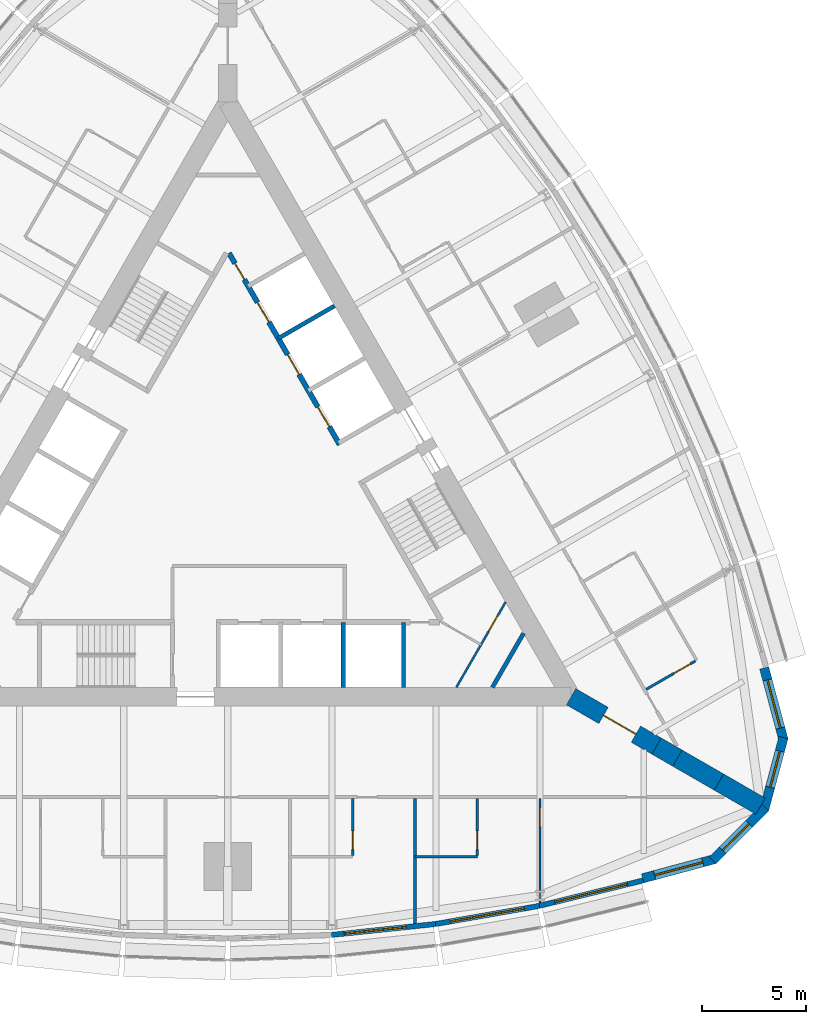
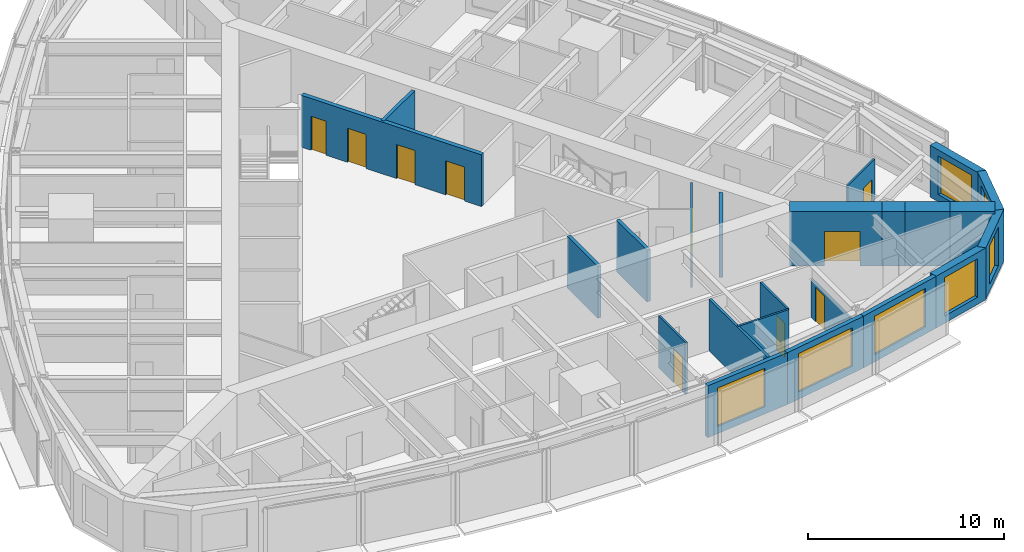
# One storey, part 10 of 14: 23 walls, 10 doors, 7 windows, 17 openings.
"""IFC4 building model written with IfcOpenShell, lengths in metres."""

from ifc_helpers import new_model, si_unit, direction, frame, frame_2d, origin, place, context, subcontext, project, spatial, polyline, rectangle, outline, extrude, material, layer, layer_set, type_object, element, fill, save


model = new_model("IFC4")

# Units and contexts
model_context = context("Model", 3, precision=1e-05, world=origin(), true_north=direction((0.0, 1.0)))
body_context = subcontext(model_context, "Body", "Model", "MODEL_VIEW")
ifc_project = project(units=[si_unit("LENGTHUNIT", "METRE"), si_unit("AREAUNIT", "SQUARE_METRE"), si_unit("VOLUMEUNIT", "CUBIC_METRE"), si_unit("PLANEANGLEUNIT", "RADIAN"), si_unit("MASSUNIT", "GRAM", prefix="KILO")], contexts=[model_context])

# Site, building, storey
site_placement = place(None, origin())
site = spatial("IfcSite", under=ifc_project, at=site_placement, CompositionType="ELEMENT")
building_placement = place(site_placement, origin())
building = spatial("IfcBuilding", under=site, at=building_placement, Name="Trikona Tower", CompositionType="ELEMENT")
storey_placement = place(building_placement, frame((0.0, 0.0, 165.699951171875)))
storey = spatial("IfcBuildingStorey", under=building, at=storey_placement, Name="L44", CompositionType="ELEMENT", Elevation=165.699951171875)

# Wall, opening, door
ifc_material_1 = material(Name="Metal stud and cement board", Category="gypsum")
ifc_layer_1 = layer(ifc_material_1, 0.1201171875)
ifc_layer_set_1 = layer_set([ifc_layer_1], Name="Bathroom wall 120")
wall_type_1 = type_object("IfcWallType", Name="Bathroom wall 120", PredefinedType="PLUMBINGWALL", material=ifc_layer_set_1)
wall_1_placement = place(storey_placement, frame((6.0, -14.42626953125, 0.0), z_axis=(0.0, 0.0, 1.0), x_axis=(0.0, -1.0, 0.0)))
wall_1 = element("IfcWall", 1, at=wall_1_placement, inside=storey, type_object=wall_type_1, Name="Bathroom wall 4403", PredefinedType="PLUMBINGWALL", context=body_context, shape_type="SweptSolid", body=[
    extrude(rectangle(XDim=2.739990234375, YDim=0.1201171875, at=frame_2d((1.3701171875, 0.0))), origin(), (0.0, 0.0, 1.0), 3.235107421875),
])
opening_1_placement = place(wall_1_placement, frame((1.550048828125, 0.0, 0.0)))
opening_1 = element("IfcOpeningElement", 2, at=opening_1_placement, cuts=wall_1, Name="Opening D2", PredefinedType="OPENING", context=body_context, shape_type="SweptSolid", body=[
    extrude(rectangle(XDim=0.89990234375, YDim=2.1298828125, at=frame_2d((0.449951171875, 1.06494140625))), frame((0.0, 0.070068359375, 0.0), z_axis=(0.0, -1.0, 0.0), x_axis=(1.0, 0.0, 0.0)), (0.0, 0.0, 1.0), 0.14013671875),
])
ifc_material_2 = material(Name="Steel door frame with solid-core timber leaf", Category="steel")
door_type_1 = type_object("IfcDoorType", Name="Bathroom door 900x2130", OperationType="SLIDING_TO_LEFT", PredefinedType="DOOR", material=ifc_material_2)
door_1_placement = place(opening_1_placement, origin())
door_1 = element("IfcDoor", 3, at=door_1_placement, inside=storey, type_object=door_type_1, Name="Bathroom door 4403", OperationType="SLIDING_TO_LEFT", OverallHeight=2.1298828125, OverallWidth=0.89990234375, PredefinedType="DOOR", context=body_context, shape_type="SweptSolid", body=[
    extrude(rectangle(XDim=0.89990234375, YDim=2.1298828125, at=frame_2d((0.449951171875, 1.06494140625))), frame((0.0, 0.02490234375, 0.0), z_axis=(0.0, -1.0, 0.0), x_axis=(1.0, 0.0, 0.0)), (0.0, 0.0, 1.0), 0.050048828125),
])
fill(opening_1, door_1)

# Wall
wall_2_placement = place(storey_placement, frame((9.0, -17.226318359375, 0.0), z_axis=(0.0, 0.0, 1.0), x_axis=(1.0, 0.0, 0.0)))
element("IfcWall", 4, at=wall_2_placement, inside=storey, type_object=wall_type_1, Name="Bathroom wall 4404.1", PredefinedType="PLUMBINGWALL", context=body_context, shape_type="SweptSolid", body=[
    extrude(rectangle(XDim=3.0, YDim=0.1201171875, at=frame_2d((1.5, 0.0))), origin(), (0.0, 0.0, 1.0), 3.235107421875),
])

# Wall, opening, door
wall_3_placement = place(storey_placement, frame((12.0, -14.42626953125, 0.0), z_axis=(0.0, 0.0, 1.0), x_axis=(0.0, -1.0, 0.0)))
wall_3 = element("IfcWall", 5, at=wall_3_placement, inside=storey, type_object=wall_type_1, Name="Bathroom wall 4404.1", PredefinedType="PLUMBINGWALL", context=body_context, shape_type="SweptSolid", body=[
    extrude(rectangle(XDim=2.739990234375, YDim=0.1201171875, at=frame_2d((1.3701171875, 0.0))), origin(), (0.0, 0.0, 1.0), 3.235107421875),
])
opening_2_placement = place(wall_3_placement, frame((1.550048828125, 0.0, 0.0)))
opening_2 = element("IfcOpeningElement", 6, at=opening_2_placement, cuts=wall_3, Name="Opening D2", PredefinedType="OPENING", context=body_context, shape_type="SweptSolid", body=[
    extrude(rectangle(XDim=0.89990234375, YDim=2.1298828125, at=frame_2d((0.449951171875, 1.06494140625))), frame((0.0, 0.070068359375, 0.0), z_axis=(0.0, -1.0, 0.0), x_axis=(1.0, 0.0, 0.0)), (0.0, 0.0, 1.0), 0.14013671875),
])
door_2_placement = place(opening_2_placement, origin())
door_2 = element("IfcDoor", 7, at=door_2_placement, inside=storey, type_object=door_type_1, Name="Bathroom door 4404.1", OperationType="SLIDING_TO_LEFT", OverallHeight=2.1298828125, OverallWidth=0.89990234375, PredefinedType="DOOR", context=body_context, shape_type="SweptSolid", body=[
    extrude(rectangle(XDim=0.89990234375, YDim=2.1298828125, at=frame_2d((0.449951171875, 1.06494140625))), frame((0.0, 0.02490234375, 0.0), z_axis=(0.0, -1.0, 0.0), x_axis=(1.0, 0.0, 0.0)), (0.0, 0.0, 1.0), 0.050048828125),
])
fill(opening_2, door_2)

wall_4_placement = place(storey_placement, frame((20.10791015625, -9.17529296875, 0.0), z_axis=(0.0, 0.0, 1.0), x_axis=(0.866035715982, 0.499982138324, 0.0)))
wall_4 = element("IfcWall", 8, at=wall_4_placement, inside=storey, type_object=wall_type_1, Name="Bathroom wall 4405", PredefinedType="PLUMBINGWALL", context=body_context, shape_type="SweptSolid", body=[
    extrude(rectangle(XDim=2.73974609375, YDim=0.1201171875, at=frame_2d((1.369873046875, 0.0))), origin(), (0.0, 0.0, 1.0), 3.235107421875),
])
opening_3_placement = place(wall_4_placement, frame((1.550048828125, 0.0, 0.0)))
opening_3 = element("IfcOpeningElement", 9, at=opening_3_placement, cuts=wall_4, Name="Opening D2", PredefinedType="OPENING", context=body_context, shape_type="SweptSolid", body=[
    extrude(rectangle(XDim=0.89990234375, YDim=2.1298828125, at=frame_2d((0.449951171875, 1.06494140625))), frame((0.0, 0.070068359375, 0.0), z_axis=(0.0, -1.0, 0.0), x_axis=(1.0, 0.0, 0.0)), (0.0, 0.0, 1.0), 0.14013671875),
])
door_3_placement = place(opening_3_placement, origin())
door_3 = element("IfcDoor", 10, at=door_3_placement, inside=storey, type_object=door_type_1, Name="Bathroom door 4405", OperationType="SLIDING_TO_LEFT", OverallHeight=2.1298828125, OverallWidth=0.89990234375, PredefinedType="DOOR", context=body_context, shape_type="SweptSolid", body=[
    extrude(rectangle(XDim=0.89990234375, YDim=2.1298828125, at=frame_2d((0.449951171875, 1.06494140625))), frame((0.0, 0.02490234375, 0.0), z_axis=(0.0, -1.0, 0.0), x_axis=(1.0, 0.0, 0.0)), (0.0, 0.0, 1.0), 0.050048828125),
])
fill(opening_3, door_3)

# Wall, opening, window
ifc_material_3 = material(Name="Brick-faced precast concrete", Category="masonry")
ifc_layer_2 = layer(ifc_material_3, 0.449951171875)
ifc_layer_set_2 = layer_set([ifc_layer_2], Name="Brick-faced corner wall 450")
wall_type_2 = type_object("IfcWallType", Name="Brick-faced corner wall 450", PredefinedType="SOLIDWALL", material=ifc_layer_set_2)
wall_5_placement = place(storey_placement, frame((19.94189453125, -18.2578125, 0.0), z_axis=(0.0, 0.0, 1.0), x_axis=(0.965924653531, 0.258823421857, 0.0)))
wall_5 = element("IfcWall", 11, at=wall_5_placement, inside=storey, type_object=wall_type_2, Name="External wall L44-08", PredefinedType="SOLIDWALL", context=body_context, shape_type="SweptSolid", body=[
    extrude(rectangle(XDim=3.58642578125, YDim=0.449951171875, at=frame_2d((1.793212890625, 0.0))), origin(), (0.0, 0.0, 1.0), 3.235107421875),
])
opening_4_placement = place(wall_5_placement, frame((0.593017578125, 0.0, 0.449951171875)))
opening_4 = element("IfcOpeningElement", 12, at=opening_4_placement, cuts=wall_5, Name="Opening W2424", PredefinedType="OPENING", context=body_context, shape_type="SweptSolid", body=[
    extrude(rectangle(XDim=2.39990234375, YDim=2.39990234375, at=frame_2d((1.199951171875, 1.199951171875))), frame((0.0, 0.23486328125, 0.0), z_axis=(0.0, -1.0, 0.0), x_axis=(1.0, 0.0, 0.0)), (0.0, 0.0, 1.0), 0.469970703125),
])
ifc_material_4 = material(Name="Aluminium-framed double glazing", Category="aluminium")
window_type_1 = type_object("IfcWindowType", Name="Window 2400x2400", PartitioningType="SINGLE_PANEL", PredefinedType="WINDOW", material=ifc_material_4)
window_1_placement = place(opening_4_placement, origin())
window_1 = element("IfcWindow", 13, at=window_1_placement, inside=storey, type_object=window_type_1, Name="Window 4404", OverallHeight=2.39990234375, OverallWidth=2.39990234375, PartitioningType="SINGLE_PANEL", PredefinedType="WINDOW", context=body_context, shape_type="SweptSolid", body=[
    extrude(rectangle(XDim=2.39990234375, YDim=2.39990234375, at=frame_2d((1.199951171875, 1.199951171875))), frame((0.0, 0.030029296875, 0.0), z_axis=(0.0, -1.0, 0.0), x_axis=(1.0, 0.0, 0.0)), (0.0, 0.0, 1.0), 0.06005859375),
])
fill(opening_4, window_1)

wall_6_placement = place(storey_placement, frame((23.304931640625, -17.387939453125, 0.0), z_axis=(0.0, 0.0, 1.0), x_axis=(0.707106781187, 0.707106781187, 0.0)))
wall_6 = element("IfcWall", 14, at=wall_6_placement, inside=storey, type_object=wall_type_2, Name="External wall L44-09", PredefinedType="SOLIDWALL", context=body_context, shape_type="SweptSolid", body=[
    extrude(outline(polyline([(3.586181640625, 0.22509765625), (3.527099609375, 0.22509765625), (3.03515625, 0.09326171875), (3.0, 0.22509765625), (0.0, 0.22509765625), (0.0, -0.22509765625), (3.586181640625, -0.22509765625), (3.586181640625, 0.22509765625)])), origin(), (0.0, 0.0, 1.0), 3.235107421875),
])
opening_5_placement = place(wall_6_placement, frame((0.6748046875, 0.0, 0.449951171875)))
opening_5 = element("IfcOpeningElement", 15, at=opening_5_placement, cuts=wall_6, Name="Opening W1824", PredefinedType="OPENING", context=body_context, shape_type="SweptSolid", body=[
    extrude(rectangle(XDim=1.800048828125, YDim=2.39990234375, at=frame_2d((0.89990234375, 1.199951171875))), frame((0.0, 0.23486328125, 0.0), z_axis=(0.0, -1.0, 0.0), x_axis=(1.0, 0.0, 0.0)), (0.0, 0.0, 1.0), 0.469970703125),
])
ifc_material_5 = material(Name="Aluminium-framed double glazing", Category="aluminium")
window_type_2 = type_object("IfcWindowType", Name="Window 1800x2400", PartitioningType="SINGLE_PANEL", PredefinedType="WINDOW", material=ifc_material_5)
window_2_placement = place(opening_5_placement, origin())
window_2 = element("IfcWindow", 16, at=window_2_placement, inside=storey, type_object=window_type_2, Name="Window 4404", OverallHeight=2.39990234375, OverallWidth=1.800048828125, PartitioningType="SINGLE_PANEL", PredefinedType="WINDOW", context=body_context, shape_type="SweptSolid", body=[
    extrude(rectangle(XDim=1.800048828125, YDim=2.39990234375, at=frame_2d((0.89990234375, 1.199951171875))), frame((0.0, 0.030029296875, 0.0), z_axis=(0.0, -1.0, 0.0), x_axis=(1.0, 0.0, 0.0)), (0.0, 0.0, 1.0), 0.06005859375),
])
fill(opening_5, window_2)

wall_7_placement = place(storey_placement, frame((25.78271484375, -14.952880859375, 0.0), z_axis=(0.0, 0.0, 1.0), x_axis=(0.258823421857, 0.965924653531, 0.0)))
wall_7 = element("IfcWall", 17, at=wall_7_placement, inside=storey, type_object=wall_type_2, Name="External wall L44-10", PredefinedType="SOLIDWALL", context=body_context, shape_type="SweptSolid", body=[
    extrude(outline(polyline([(3.58642578125, 0.22509765625), (0.58642578125, 0.22509765625), (0.551025390625, 0.09326171875), (0.0595703125, 0.22509765625), (0.0, 0.22509765625), (0.0, -0.22509765625), (3.58642578125, -0.22509765625), (3.58642578125, 0.22509765625)])), origin(), (0.0, 0.0, 1.0), 3.235107421875),
])
opening_6_placement = place(wall_7_placement, frame((1.111328125, 0.0, 0.449951171875)))
opening_6 = element("IfcOpeningElement", 18, at=opening_6_placement, cuts=wall_7, Name="Opening W1824", PredefinedType="OPENING", context=body_context, shape_type="SweptSolid", body=[
    extrude(rectangle(XDim=1.800048828125, YDim=2.39990234375, at=frame_2d((0.89990234375, 1.199951171875))), frame((0.0, 0.23486328125, 0.0), z_axis=(0.0, -1.0, 0.0), x_axis=(1.0, 0.0, 0.0)), (0.0, 0.0, 1.0), 0.469970703125),
])
window_3_placement = place(opening_6_placement, origin())
window_3 = element("IfcWindow", 19, at=window_3_placement, inside=storey, type_object=window_type_2, Name="Window 4405", OverallHeight=2.39990234375, OverallWidth=1.800048828125, PartitioningType="SINGLE_PANEL", PredefinedType="WINDOW", context=body_context, shape_type="SweptSolid", body=[
    extrude(rectangle(XDim=1.800048828125, YDim=2.39990234375, at=frame_2d((0.89990234375, 1.199951171875))), frame((0.0, 0.030029296875, 0.0), z_axis=(0.0, -1.0, 0.0), x_axis=(1.0, 0.0, 0.0)), (0.0, 0.0, 1.0), 0.06005859375),
])
fill(opening_6, window_3)

wall_8_placement = place(storey_placement, frame((26.7109375, -11.605224609375, 0.0), z_axis=(0.0, 0.0, 1.0), x_axis=(-0.258823421857, 0.965924653531, 0.0)))
wall_8 = element("IfcWall", 20, at=wall_8_placement, inside=storey, type_object=wall_type_2, Name="External wall L44-11", PredefinedType="SOLIDWALL", context=body_context, shape_type="SweptSolid", body=[
    extrude(rectangle(XDim=3.58642578125, YDim=0.449951171875, at=frame_2d((1.793212890625, 0.0))), origin(), (0.0, 0.0, 1.0), 3.235107421875),
])
opening_7_placement = place(wall_8_placement, frame((0.593017578125, 0.0, 0.449951171875)))
opening_7 = element("IfcOpeningElement", 21, at=opening_7_placement, cuts=wall_8, Name="Opening W2424", PredefinedType="OPENING", context=body_context, shape_type="SweptSolid", body=[
    extrude(rectangle(XDim=2.39990234375, YDim=2.39990234375, at=frame_2d((1.199951171875, 1.199951171875))), frame((0.0, 0.23486328125, 0.0), z_axis=(0.0, -1.0, 0.0), x_axis=(1.0, 0.0, 0.0)), (0.0, 0.0, 1.0), 0.469970703125),
])
window_4_placement = place(opening_7_placement, origin())
window_4 = element("IfcWindow", 22, at=window_4_placement, inside=storey, type_object=window_type_1, Name="Window 4405", OverallHeight=2.39990234375, OverallWidth=2.39990234375, PartitioningType="SINGLE_PANEL", PredefinedType="WINDOW", context=body_context, shape_type="SweptSolid", body=[
    extrude(rectangle(XDim=2.39990234375, YDim=2.39990234375, at=frame_2d((1.199951171875, 1.199951171875))), frame((0.0, 0.030029296875, 0.0), z_axis=(0.0, -1.0, 0.0), x_axis=(1.0, 0.0, 0.0)), (0.0, 0.0, 1.0), 0.06005859375),
])
fill(opening_7, window_4)

# Wall, opening, door
ifc_material_6 = material(Name="Concrete f'c 10000 psi", Category="concrete")
ifc_layer_3 = layer(ifc_material_6, 0.89990234375)
ifc_layer_set_3 = layer_set([ifc_layer_3], Name="Buttress wall 900")
wall_type_3 = type_object("IfcWallType", Name="Buttress wall 900", PredefinedType="SHEAR", material=ifc_layer_set_3)
wall_9_placement = place(storey_placement, frame((16.5, -9.5263671875, 0.0), z_axis=(0.0, 0.0, 1.0), x_axis=(0.866031398331, -0.499989616998, 0.0)))
wall_9 = element("IfcWall", 23, at=wall_9_placement, inside=storey, type_object=wall_type_3, Name="Buttress wall 1", PredefinedType="SHEAR", context=body_context, shape_type="SweptSolid", body=[
    extrude(rectangle(XDim=4.74609375, YDim=0.89990234375, at=frame_2d((2.373046875, 0.0))), origin(), (0.0, 0.0, 1.0), 3.400146484375),
])
opening_8_placement = place(wall_9_placement, frame((1.800048828125, 0.0, 0.0)))
opening_8 = element("IfcOpeningElement", 24, at=opening_8_placement, cuts=wall_9, Name="Opening D10", PredefinedType="OPENING", context=body_context, shape_type="SweptSolid", body=[
    extrude(rectangle(XDim=1.800048828125, YDim=2.1298828125, at=frame_2d((0.89990234375, 1.06494140625))), frame((0.0, 0.4599609375, 0.0), z_axis=(0.0, -1.0, 0.0), x_axis=(1.0, 0.0, 0.0)), (0.0, 0.0, 1.0), 0.919921875),
])
ifc_material_7 = material(Name="Hollow metal door and frame", Category="steel")
door_type_2 = type_object("IfcDoorType", Name="Cross-corridor door pair 1800x2130", OperationType="DOUBLE_DOOR_DOUBLE_SWING", PredefinedType="DOOR", material=ifc_material_7)
door_4_placement = place(opening_8_placement, origin())
door_4 = element("IfcDoor", 25, at=door_4_placement, inside=storey, type_object=door_type_2, Name="Cross-corridor door 1", OperationType="DOUBLE_DOOR_DOUBLE_SWING", OverallHeight=2.1298828125, OverallWidth=1.800048828125, PredefinedType="DOOR", context=body_context, shape_type="SweptSolid", body=[
    extrude(rectangle(XDim=1.800048828125, YDim=2.1298828125, at=frame_2d((0.89990234375, 1.06494140625))), frame((0.0, 0.02490234375, 0.0), z_axis=(0.0, -1.0, 0.0), x_axis=(1.0, 0.0, 0.0)), (0.0, 0.0, 1.0), 0.050048828125),
])
fill(opening_8, door_4)

# Walls
wall_10_placement = place(storey_placement, frame((20.6103515625, -11.8994140625, 0.0), z_axis=(0.0, 0.0, 1.0), x_axis=(0.866009537788, -0.500027479704, 0.0)))
element("IfcWall", 26, at=wall_10_placement, inside=storey, type_object=wall_type_3, Name="Buttress wall 1 part 2", PredefinedType="SHEAR", context=body_context, shape_type="SweptSolid", body=[
    extrude(rectangle(XDim=1.15478515625, YDim=0.89990234375, at=frame_2d((0.577392578125, 0.0))), origin(), (0.0, 0.0, 1.0), 3.400146484375),
])
for number, where, z_axis, x_axis, name in (
    (27, (21.6103515625, -12.476806640625, 0.0), (0.0, 0.0, 1.0), (0.866055313784, -0.499948190782, 0.0), "Buttress wall 1 part 3"),
    (28, (23.6103515625, -13.63134765625, 0.0), (0.0, 0.0, 1.0), (0.866009537788, -0.500027479704, 0.0), "Buttress wall 1 part 4"),
):
    element("IfcWall", number, at=place(storey_placement, frame(where, z_axis=z_axis, x_axis=x_axis)), inside=storey, type_object=wall_type_3, Name=name, PredefinedType="SHEAR", context=body_context, shape_type="SweptSolid", body=[
        extrude(rectangle(XDim=2.309326171875, YDim=0.89990234375, at=frame_2d((1.15478515625, 0.0))), origin(), (0.0, 0.0, 1.0), 3.400146484375),
    ])

# Wall, openings, doors
ifc_material_8 = material(Name="Concrete f'c 8000 psi", Category="concrete")
ifc_layer_4 = layer(ifc_material_8, 0.25)
ifc_layer_set_4 = layer_set([ifc_layer_4], Name="Hub wall 250")
wall_type_4 = type_object("IfcWallType", Name="Hub wall 250", PredefinedType="SOLIDWALL", material=ifc_layer_set_4)
wall_11_placement = place(storey_placement, frame((5.37890625, 2.5859375, 0.0), z_axis=(0.0, 0.0, 1.0), x_axis=(-0.500001375892, 0.866024609411, 0.0)))
wall_11 = element("IfcWall", 29, at=wall_11_placement, inside=storey, type_object=wall_type_4, Name="Lift lobby wall B2", PredefinedType="SOLIDWALL", context=body_context, shape_type="SweptSolid", body=[
    extrude(rectangle(XDim=10.6328125, YDim=0.25, at=frame_2d((5.31640625, 0.0))), origin(), (0.0, 0.0, 1.0), 3.235107421875),
])
opening_9_placement = place(wall_11_placement, frame((9.1640625, 0.0, 0.0)))
opening_9 = element("IfcOpeningElement", 30, at=opening_9_placement, cuts=wall_11, Name="Opening D14", PredefinedType="OPENING", context=body_context, shape_type="SweptSolid", body=[
    extrude(rectangle(XDim=0.89990234375, YDim=2.1298828125, at=frame_2d((0.449951171875, 1.06494140625))), frame((0.0, 0.135009765625, 0.0), z_axis=(0.0, -1.0, 0.0), x_axis=(1.0, 0.0, 0.0)), (0.0, 0.0, 1.0), 0.27001953125),
])
opening_10_placement = place(wall_11_placement, frame((1.0, 0.0, 0.0)))
opening_10 = element("IfcOpeningElement", 31, at=opening_10_placement, cuts=wall_11, Name="Opening LD", PredefinedType="OPENING", context=body_context, shape_type="SweptSolid", body=[
    extrude(rectangle(XDim=1.10009765625, YDim=2.1298828125, at=frame_2d((0.550048828125, 1.06494140625))), frame((0.0, 0.135009765625, 0.0), z_axis=(0.0, -1.0, 0.0), x_axis=(1.0, 0.0, 0.0)), (0.0, 0.0, 1.0), 0.27001953125),
])
opening_11_placement = place(wall_11_placement, frame((3.89990234375, 0.0, 0.0)))
opening_11 = element("IfcOpeningElement", 32, at=opening_11_placement, cuts=wall_11, Name="Opening LD", PredefinedType="OPENING", context=body_context, shape_type="SweptSolid", body=[
    extrude(rectangle(XDim=1.10009765625, YDim=2.1298828125, at=frame_2d((0.550048828125, 1.06494140625))), frame((0.0, 0.135009765625, 0.0), z_axis=(0.0, -1.0, 0.0), x_axis=(1.0, 0.0, 0.0)), (0.0, 0.0, 1.0), 0.27001953125),
])
opening_12_placement = place(wall_11_placement, frame((6.800048828125, 0.0, 0.0)))
opening_12 = element("IfcOpeningElement", 33, at=opening_12_placement, cuts=wall_11, Name="Opening LD", PredefinedType="OPENING", context=body_context, shape_type="SweptSolid", body=[
    extrude(rectangle(XDim=1.10009765625, YDim=2.1298828125, at=frame_2d((0.550048828125, 1.06494140625))), frame((0.0, 0.135009765625, 0.0), z_axis=(0.0, -1.0, 0.0), x_axis=(1.0, 0.0, 0.0)), (0.0, 0.0, 1.0), 0.27001953125),
])
ifc_material_9 = material(Name="Stainless steel lift landing door", Category="steel")
door_type_3 = type_object("IfcDoorType", Name="Lift landing door 1100x2130", OperationType="DOUBLE_DOOR_SLIDING", PredefinedType="USERDEFINED", material=ifc_material_9)
door_5_placement = place(opening_10_placement, origin())
door_5 = element("IfcDoor", 34, at=door_5_placement, inside=storey, type_object=door_type_3, Name="Lift landing door L2-1", ObjectType="LIFT LANDING DOOR", OperationType="DOUBLE_DOOR_SLIDING", OverallHeight=2.1298828125, OverallWidth=1.10009765625, PredefinedType="USERDEFINED", context=body_context, shape_type="SweptSolid", body=[
    extrude(rectangle(XDim=1.10009765625, YDim=2.1298828125, at=frame_2d((0.550048828125, 1.06494140625))), frame((0.0, 0.02490234375, 0.0), z_axis=(0.0, -1.0, 0.0), x_axis=(1.0, 0.0, 0.0)), (0.0, 0.0, 1.0), 0.050048828125),
])
fill(opening_10, door_5)
door_6_placement = place(opening_11_placement, origin())
door_6 = element("IfcDoor", 35, at=door_6_placement, inside=storey, type_object=door_type_3, Name="Lift landing door L2-2", ObjectType="LIFT LANDING DOOR", OperationType="DOUBLE_DOOR_SLIDING", OverallHeight=2.1298828125, OverallWidth=1.10009765625, PredefinedType="USERDEFINED", context=body_context, shape_type="SweptSolid", body=[
    extrude(rectangle(XDim=1.10009765625, YDim=2.1298828125, at=frame_2d((0.550048828125, 1.06494140625))), frame((0.0, 0.02490234375, 0.0), z_axis=(0.0, -1.0, 0.0), x_axis=(1.0, 0.0, 0.0)), (0.0, 0.0, 1.0), 0.050048828125),
])
fill(opening_11, door_6)
door_7_placement = place(opening_12_placement, origin())
door_7 = element("IfcDoor", 36, at=door_7_placement, inside=storey, type_object=door_type_3, Name="Lift landing door L2-3", ObjectType="LIFT LANDING DOOR", OperationType="DOUBLE_DOOR_SLIDING", OverallHeight=2.1298828125, OverallWidth=1.10009765625, PredefinedType="USERDEFINED", context=body_context, shape_type="SweptSolid", body=[
    extrude(rectangle(XDim=1.10009765625, YDim=2.1298828125, at=frame_2d((0.550048828125, 1.06494140625))), frame((0.0, 0.02490234375, 0.0), z_axis=(0.0, -1.0, 0.0), x_axis=(1.0, 0.0, 0.0)), (0.0, 0.0, 1.0), 0.050048828125),
])
fill(opening_12, door_7)
ifc_material_10 = material(Name="Hollow metal door and frame", Category="steel")
door_type_4 = type_object("IfcDoorType", Name="Service room door 900x2130", OperationType="SINGLE_SWING_LEFT", PredefinedType="DOOR", material=ifc_material_10)
door_8_placement = place(opening_9_placement, origin())
door_8 = element("IfcDoor", 37, at=door_8_placement, inside=storey, type_object=door_type_4, Name="Door Ice and vending ICE", OperationType="SINGLE_SWING_RIGHT", OverallHeight=2.1298828125, OverallWidth=0.89990234375, PredefinedType="DOOR", context=body_context, shape_type="SweptSolid", body=[
    extrude(rectangle(XDim=0.89990234375, YDim=2.1298828125, at=frame_2d((0.449951171875, 1.06494140625))), frame((0.0, 0.02490234375, 0.0), z_axis=(0.0, -1.0, 0.0), x_axis=(1.0, 0.0, 0.0)), (0.0, 0.0, 1.0), 0.050048828125),
])
fill(opening_9, door_8)

# Wall, opening, window
ifc_material_11 = material(Name="Insulated precast concrete spandrel panel", Category="concrete")
ifc_layer_5 = layer(ifc_material_11, 0.25)
ifc_layer_set_5 = layer_set([ifc_layer_5], Name="Inner skin wall 250")
wall_type_5 = type_object("IfcWallType", Name="Inner skin wall 250", PredefinedType="STANDARD", material=ifc_layer_set_5)
wall_12_placement = place(storey_placement, frame((4.98681640625, -20.975830078125, 0.0), z_axis=(0.0, 0.0, 1.0), x_axis=(0.994534683851, 0.104406717299, 0.0)))
wall_12 = element("IfcWall", 38, at=wall_12_placement, inside=storey, type_object=wall_type_5, Name="External wall L44-05", PredefinedType="STANDARD", context=body_context, shape_type="SweptSolid", body=[
    extrude(rectangle(XDim=5.027587890625, YDim=0.25, at=frame_2d((2.513671875, 0.0))), origin(), (0.0, 0.0, 1.0), 3.235107421875),
])
opening_13_placement = place(wall_12_placement, frame((0.609619140625, 0.0, 0.449951171875)))
opening_13 = element("IfcOpeningElement", 39, at=opening_13_placement, cuts=wall_12, Name="Opening W3024", PredefinedType="OPENING", context=body_context, shape_type="SweptSolid", body=[
    extrude(rectangle(XDim=3.0, YDim=2.39990234375, at=frame_2d((1.5, 1.199951171875))), frame((0.0, 0.135009765625, 0.0), z_axis=(0.0, -1.0, 0.0), x_axis=(1.0, 0.0, 0.0)), (0.0, 0.0, 1.0), 0.27001953125),
])
ifc_material_12 = material(Name="Aluminium-framed double glazing", Category="aluminium")
window_type_3 = type_object("IfcWindowType", Name="Window 3000x2400", PartitioningType="SINGLE_PANEL", PredefinedType="WINDOW", material=ifc_material_12)
window_5_placement = place(opening_13_placement, origin())
window_5 = element("IfcWindow", 40, at=window_5_placement, inside=storey, type_object=window_type_3, Name="Window 4403", OverallHeight=2.39990234375, OverallWidth=3.0, PartitioningType="SINGLE_PANEL", PredefinedType="WINDOW", context=body_context, shape_type="SweptSolid", body=[
    extrude(rectangle(XDim=3.0, YDim=2.39990234375, at=frame_2d((1.5, 1.199951171875))), frame((0.0, 0.030029296875, 0.0), z_axis=(0.0, -1.0, 0.0), x_axis=(1.0, 0.0, 0.0)), (0.0, 0.0, 1.0), 0.06005859375),
])
fill(opening_13, window_5)

wall_13_placement = place(storey_placement, frame((9.978515625, -20.4521484375, 0.0), z_axis=(0.0, 0.0, 1.0), x_axis=(0.985030467156, 0.172380331752, 0.0)))
wall_13 = element("IfcWall", 41, at=wall_13_placement, inside=storey, type_object=wall_type_5, Name="External wall L44-06", PredefinedType="STANDARD", context=body_context, shape_type="SweptSolid", body=[
    extrude(rectangle(XDim=5.075927734375, YDim=0.25, at=frame_2d((2.5380859375, 0.0))), origin(), (0.0, 0.0, 1.0), 3.235107421875),
])
opening_14_placement = place(wall_13_placement, frame((0.738037109375, 0.0, 0.449951171875)))
opening_14 = element("IfcOpeningElement", 42, at=opening_14_placement, cuts=wall_13, Name="Opening W3624", PredefinedType="OPENING", context=body_context, shape_type="SweptSolid", body=[
    extrude(rectangle(XDim=3.60009765625, YDim=2.39990234375, at=frame_2d((1.800048828125, 1.199951171875))), frame((0.0, 0.135009765625, 0.0), z_axis=(0.0, -1.0, 0.0), x_axis=(1.0, 0.0, 0.0)), (0.0, 0.0, 1.0), 0.27001953125),
])
ifc_material_13 = material(Name="Aluminium-framed double glazing", Category="aluminium")
window_type_4 = type_object("IfcWindowType", Name="Window 3600x2400", PartitioningType="SINGLE_PANEL", PredefinedType="WINDOW", material=ifc_material_13)
window_6_placement = place(opening_14_placement, origin())
window_6 = element("IfcWindow", 43, at=window_6_placement, inside=storey, type_object=window_type_4, Name="Window 4404.1", OverallHeight=2.39990234375, OverallWidth=3.60009765625, PartitioningType="SINGLE_PANEL", PredefinedType="WINDOW", context=body_context, shape_type="SweptSolid", body=[
    extrude(rectangle(XDim=3.60009765625, YDim=2.39990234375, at=frame_2d((1.800048828125, 1.199951171875))), frame((0.0, 0.030029296875, 0.0), z_axis=(0.0, -1.0, 0.0), x_axis=(1.0, 0.0, 0.0)), (0.0, 0.0, 1.0), 0.06005859375),
])
fill(opening_14, window_6)

wall_14_placement = place(storey_placement, frame((14.97021484375, -19.578857421875, 0.0), z_axis=(0.0, 0.0, 1.0), x_axis=(0.971270024053, 0.237980126011, 0.0)))
wall_14 = element("IfcWall", 44, at=wall_14_placement, inside=storey, type_object=wall_type_5, Name="External wall L44-07", PredefinedType="STANDARD", context=body_context, shape_type="SweptSolid", body=[
    extrude(rectangle(XDim=5.14794921875, YDim=0.25, at=frame_2d((2.573974609375, 0.0))), origin(), (0.0, 0.0, 1.0), 3.235107421875),
])
opening_15_placement = place(wall_14_placement, frame((0.77392578125, 0.0, 0.449951171875)))
opening_15 = element("IfcOpeningElement", 45, at=opening_15_placement, cuts=wall_14, Name="Opening W3624", PredefinedType="OPENING", context=body_context, shape_type="SweptSolid", body=[
    extrude(rectangle(XDim=3.60009765625, YDim=2.39990234375, at=frame_2d((1.800048828125, 1.199951171875))), frame((0.0, 0.135009765625, 0.0), z_axis=(0.0, -1.0, 0.0), x_axis=(1.0, 0.0, 0.0)), (0.0, 0.0, 1.0), 0.27001953125),
])
window_7_placement = place(opening_15_placement, origin())
window_7 = element("IfcWindow", 46, at=window_7_placement, inside=storey, type_object=window_type_4, Name="Window 4404", OverallHeight=2.39990234375, OverallWidth=3.60009765625, PartitioningType="SINGLE_PANEL", PredefinedType="WINDOW", context=body_context, shape_type="SweptSolid", body=[
    extrude(rectangle(XDim=3.60009765625, YDim=2.39990234375, at=frame_2d((1.800048828125, 1.199951171875))), frame((0.0, 0.030029296875, 0.0), z_axis=(0.0, -1.0, 0.0), x_axis=(1.0, 0.0, 0.0)), (0.0, 0.0, 1.0), 0.06005859375),
])
fill(opening_15, window_7)

# Walls
ifc_material_14 = material(Name="Metal stud and gypsum board, 1-hour acoustic", Category="gypsum")
ifc_layer_6 = layer(ifc_material_14, 0.14990234375)
ifc_layer_set_6 = layer_set([ifc_layer_6], Name="Party wall 150")
wall_type_6 = type_object("IfcWallType", Name="Party wall 150", PredefinedType="PARTITIONING", material=ifc_layer_set_6)
wall_15_placement = place(storey_placement, frame((9.0, -14.42626953125, 0.0), z_axis=(0.0, 0.0, 1.0), x_axis=(0.0, -1.0, 0.0)))
element("IfcWall", 47, at=wall_15_placement, inside=storey, type_object=wall_type_6, Name="Partition L44 F1 u9", PredefinedType="PARTITIONING", context=body_context, shape_type="SweptSolid", body=[
    extrude(rectangle(XDim=6.00244140625, YDim=0.14990234375, at=frame_2d((3.001220703125, 0.0))), origin(), (0.0, 0.0, 1.0), 3.235107421875),
])
ifc_material_15 = material(Name="Concrete f'c 8000 psi", Category="concrete")
ifc_layer_7 = layer(ifc_material_15, 0.199951171875)
ifc_layer_set_7 = layer_set([ifc_layer_7], Name="Shaft wall 200")
wall_type_7 = type_object("IfcWallType", Name="Shaft wall 200", PredefinedType="SOLIDWALL", material=ifc_layer_set_7)
for number, where, z_axis, x_axis, name in (
    (48, (5.550048828125, -5.951416015625, 0.0), (0.0, 0.0, 1.0), (0.0, -1.0, 0.0), "Shaft wall A5"),
    (49, (8.449951171875, -5.951416015625, 0.0), (0.0, 0.0, 1.0), (0.0, -1.0, 0.0), "Shaft wall A6"),
    (50, (2.428955078125, 7.695556640625, 0.0), (0.0, 0.0, 1.0), (0.866022959057, 0.500004234368, 0.0), "Shaft wall B5"),
):
    element("IfcWall", number, at=place(storey_placement, frame(where, z_axis=z_axis, x_axis=x_axis)), inside=storey, type_object=wall_type_7, Name=name, PredefinedType="SOLIDWALL", context=body_context, shape_type="SweptSolid", body=[
        extrude(rectangle(XDim=3.125, YDim=0.199951171875, at=frame_2d((1.5625, 0.0))), origin(), (0.0, 0.0, 1.0), 3.235107421875),
    ])
wall_16_placement = place(storey_placement, frame((14.219482421875, -6.476318359375, 0.0), z_axis=(0.0, 0.0, 1.0), x_axis=(-0.499952404951, -0.866052881055, 0.0)))
element("IfcWall", 51, at=wall_16_placement, inside=storey, type_object=wall_type_7, Name="Riser wall L44-RS1", PredefinedType="SOLIDWALL", context=body_context, shape_type="SweptSolid", body=[
    extrude(rectangle(XDim=3.002197265625, YDim=0.199951171875, at=frame_2d((1.5009765625, 0.0))), origin(), (0.0, 0.0, 1.0), 3.235107421875),
])

# Wall, opening, door
ifc_material_16 = material(Name="Metal stud and gypsum board, acoustic", Category="gypsum")
ifc_layer_8 = layer(ifc_material_16, 0.10009765625)
ifc_layer_set_8 = layer_set([ifc_layer_8], Name="Suite partition 100")
wall_type_8 = type_object("IfcWallType", Name="Suite partition 100", PredefinedType="PARTITIONING", material=ifc_layer_set_8)
wall_17_placement = place(storey_placement, frame((15.0, -14.42626953125, 0.0), z_axis=(0.0, 0.0, 1.0), x_axis=(0.0, -1.0, 0.0)))
wall_17 = element("IfcWall", 52, at=wall_17_placement, inside=storey, type_object=wall_type_8, Name="Suite partition L44 F1 u15", PredefinedType="PARTITIONING", context=body_context, shape_type="SweptSolid", body=[
    extrude(rectangle(XDim=5.0166015625, YDim=0.10009765625, at=frame_2d((2.50830078125, 0.0))), origin(), (0.0, 0.0, 1.0), 2.38916015625),
])
opening_16_placement = place(wall_17_placement, frame((0.449951171875, 0.0, 0.0)))
opening_16 = element("IfcOpeningElement", 53, at=opening_16_placement, cuts=wall_17, Name="Opening D13", PredefinedType="OPENING", context=body_context, shape_type="SweptSolid", body=[
    extrude(rectangle(XDim=0.89990234375, YDim=2.1298828125, at=frame_2d((0.449951171875, 1.06494140625))), frame((0.0, 0.06005859375, 0.0), z_axis=(0.0, -1.0, 0.0), x_axis=(1.0, 0.0, 0.0)), (0.0, 0.0, 1.0), 0.1201171875),
])
ifc_material_17 = material(Name="Steel door frame with solid-core timber leaf", Category="steel")
door_type_5 = type_object("IfcDoorType", Name="Suite door 900x2130", OperationType="SINGLE_SWING_LEFT", PredefinedType="DOOR", material=ifc_material_17)
door_9_placement = place(opening_16_placement, origin())
door_9 = element("IfcDoor", 54, at=door_9_placement, inside=storey, type_object=door_type_5, Name="Suite door 4404", OperationType="SINGLE_SWING_LEFT", OverallHeight=2.1298828125, OverallWidth=0.89990234375, PredefinedType="DOOR", context=body_context, shape_type="SweptSolid", body=[
    extrude(rectangle(XDim=0.89990234375, YDim=2.1298828125, at=frame_2d((0.449951171875, 1.06494140625))), frame((0.0, 0.02490234375, 0.0), z_axis=(0.0, -1.0, 0.0), x_axis=(1.0, 0.0, 0.0)), (0.0, 0.0, 1.0), 0.050048828125),
])
fill(opening_16, door_9)

wall_18_placement = place(storey_placement, frame((13.353515625, -4.976318359375, 0.0), z_axis=(0.0, 0.0, 1.0), x_axis=(-0.499999210213, -0.866025859768, 0.0)))
wall_18 = element("IfcWall", 55, at=wall_18_placement, inside=storey, type_object=wall_type_8, Name="Store partition L44-RS1", PredefinedType="PARTITIONING", context=body_context, shape_type="SweptSolid", body=[
    extrude(rectangle(XDim=4.734375, YDim=0.10009765625, at=frame_2d((2.3671875, 0.0))), origin(), (0.0, 0.0, 1.0), 3.235107421875),
])
opening_17_placement = place(wall_18_placement, frame((0.733642578125, 0.0, 0.0)))
opening_17 = element("IfcOpeningElement", 56, at=opening_17_placement, cuts=wall_18, Name="Opening D15", PredefinedType="OPENING", context=body_context, shape_type="SweptSolid", body=[
    extrude(rectangle(XDim=0.89990234375, YDim=2.1298828125, at=frame_2d((0.449951171875, 1.06494140625))), frame((0.0, 0.06005859375, 0.0), z_axis=(0.0, -1.0, 0.0), x_axis=(1.0, 0.0, 0.0)), (0.0, 0.0, 1.0), 0.1201171875),
])
ifc_material_18 = material(Name="Steel door frame with solid-core timber leaf", Category="steel")
door_type_6 = type_object("IfcDoorType", Name="Store door 900x2130", OperationType="SINGLE_SWING_LEFT", PredefinedType="DOOR", material=ifc_material_18)
door_10_placement = place(opening_17_placement, origin())
door_10 = element("IfcDoor", 57, at=door_10_placement, inside=storey, type_object=door_type_6, Name="Door Cleaner's store CLN", OperationType="SINGLE_SWING_LEFT", OverallHeight=2.1298828125, OverallWidth=0.89990234375, PredefinedType="DOOR", context=body_context, shape_type="SweptSolid", body=[
    extrude(rectangle(XDim=0.89990234375, YDim=2.1298828125, at=frame_2d((0.449951171875, 1.06494140625))), frame((0.0, 0.02490234375, 0.0), z_axis=(0.0, -1.0, 0.0), x_axis=(1.0, 0.0, 0.0)), (0.0, 0.0, 1.0), 0.050048828125),
])
fill(opening_17, door_10)

save(model, "model.ifc")
